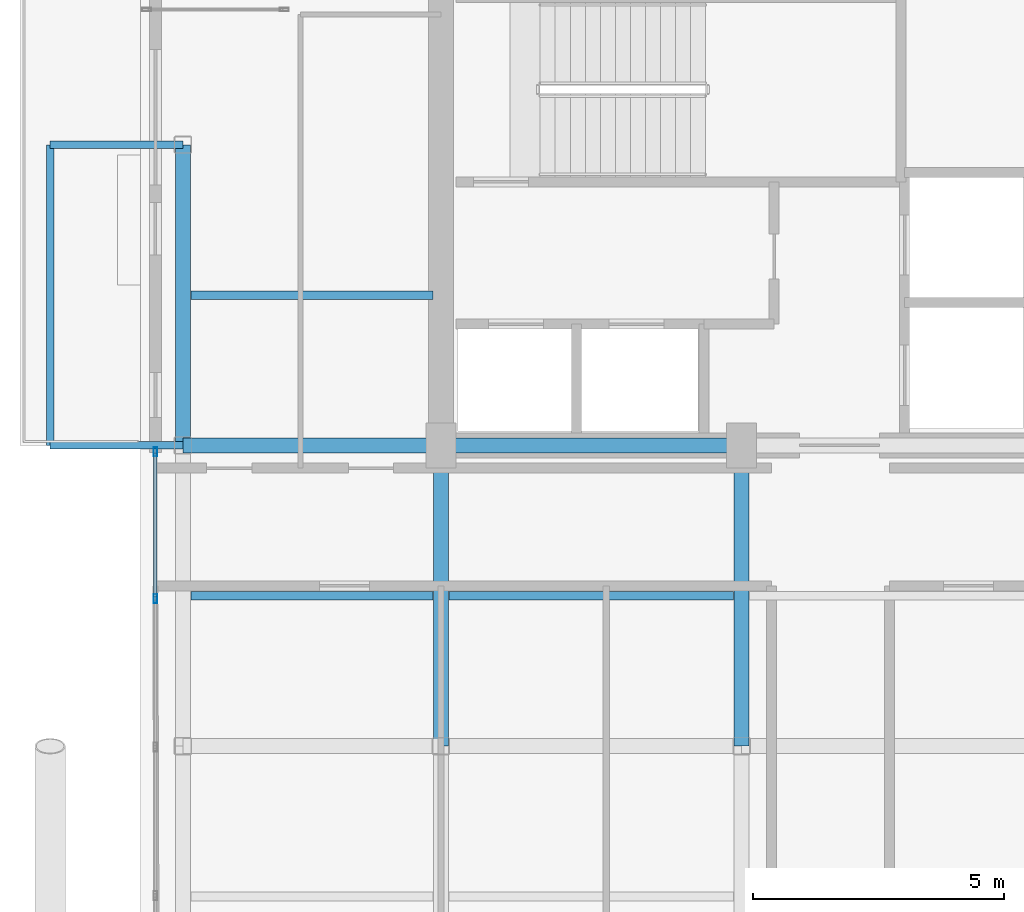
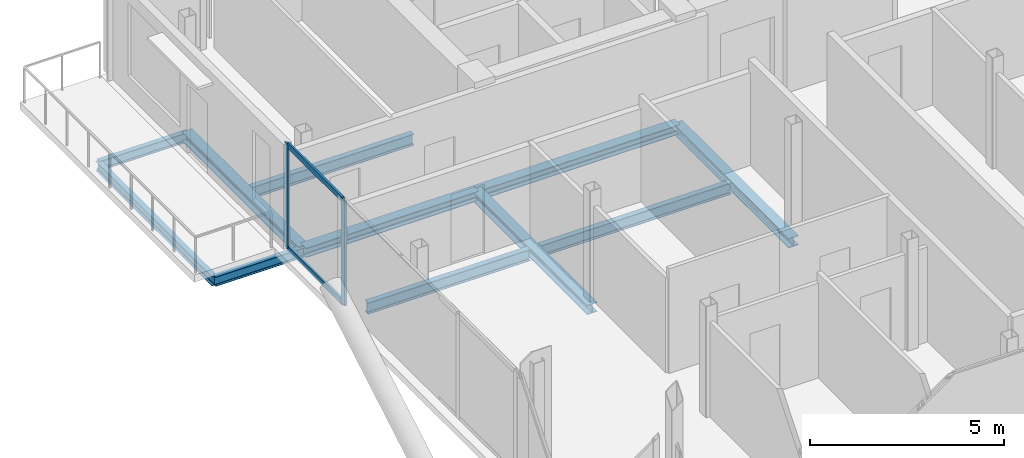
# One storey, part 7 of 19: 11 beams, 4 members, 1 element without a shape of its own.
"""IFC4 building model written with IfcOpenShell, lengths in metres."""

from ifc_helpers import new_model, si_unit, direction, frame, origin, origin_2d, place, context, subcontext, project, spatial, hollow_rectangle, i_section, extrude, material, layer, layer_set, material_profile, profile_set, type_object, element, aggregate, save


model = new_model("IFC4")

# Units and contexts
model_context = context("Model", 3, precision=1e-05, world=origin(), true_north=direction((0.0, 1.0)))
body_context = subcontext(model_context, "Body", "Model", "MODEL_VIEW")
ifc_project = project(units=[si_unit("LENGTHUNIT", "METRE"), si_unit("AREAUNIT", "SQUARE_METRE"), si_unit("VOLUMEUNIT", "CUBIC_METRE"), si_unit("PLANEANGLEUNIT", "RADIAN"), si_unit("MASSUNIT", "GRAM", prefix="KILO"), si_unit("THERMODYNAMICTEMPERATUREUNIT", "KELVIN"), si_unit("POWERUNIT", "WATT")], contexts=[model_context])

# Site, building, storey
site_placement = place(None, origin())
site = spatial("IfcSite", under=ifc_project, at=site_placement, CompositionType="ELEMENT")
building_placement = place(site_placement, origin())
building = spatial("IfcBuilding", under=site, at=building_placement, Name="Svarakhadi Broadcast Tower", CompositionType="ELEMENT")
storey_placement = place(building_placement, frame((0.0, 0.0, 257.199951171875)))
storey = spatial("IfcBuildingStorey", under=building, at=storey_placement, Name="L64", CompositionType="ELEMENT", Elevation=257.199951171875)

# Beams
ifc_material_1 = material(Name="Steel S355J2 (IS 2062 E350C)", Category="steel")
ifc_material_profile_1 = material_profile(ifc_material_1, i_section(OverallWidth=0.169921875, OverallDepth=0.360107421875, WebThickness=0.008056640625, FlangeThickness=0.0126953125, FilletRadius=0.01806640625, at=origin_2d()), Name="NPB 360x170x57")
ifc_profile_set_1 = profile_set([ifc_material_profile_1], Name="Steel S355J2 (IS 2062 E350C)")
beam_type_1 = type_object("IfcBeamType", Name="Beam_NPB360", PredefinedType="BEAM", material=ifc_profile_set_1)
for number, where, z_axis, x_axis, name in (
    (1, (1.010009765625, 15.0, -0.3798828125), (1.0, 0.0, 0.0), (0.0, 1.0, 0.0), "L64 Secondary Composite Beam SB002"),
    (2, (1.010009765625, 21.0, -0.3798828125), (1.0, 0.0, 0.0), (0.0, 1.0, 0.0), "L64 Secondary Composite Beam SB003"),
):
    element("IfcBeam", number, at=place(storey_placement, frame(where, z_axis=z_axis, x_axis=x_axis)), inside=storey, type_object=beam_type_1, Name=name, PredefinedType="BEAM", context=body_context, shape_type="SweptSolid", body=[
        extrude(i_section(OverallWidth=0.169921875, OverallDepth=0.360107421875, WebThickness=0.008056640625, FlangeThickness=0.0126953125, FilletRadius=0.01806640625, at=origin_2d()), origin(), (0.0, 0.0, 1.0), 4.830078125),
    ])
beam_1_placement = place(storey_placement, frame((6.159912109375, 15.0, -0.3798828125), z_axis=(1.0, 0.0, 0.0), x_axis=(0.0, 1.0, 0.0)))
element("IfcBeam", 3, at=beam_1_placement, inside=storey, type_object=beam_type_1, Name="L64 Secondary Composite Beam SB006", PredefinedType="BEAM", context=body_context, shape_type="SweptSolid", body=[
    extrude(i_section(OverallWidth=0.169921875, OverallDepth=0.360107421875, WebThickness=0.008056640625, FlangeThickness=0.0126953125, FilletRadius=0.01806640625, at=origin_2d()), origin(), (0.0, 0.0, 1.0), 5.68017578125),
])

# Curtain wall, members
ifc_material_2 = material(Name="Anodised Bronze Aluminium AA 6063-T6", Category="aluminium")
ifc_layer = layer(ifc_material_2, 0.179931640625)
ifc_layer_set = layer_set([ifc_layer], Name="Anodised Bronze Aluminium AA 6063-T6")
curtain_wall_type = type_object("IfcCurtainWallType", Name="CW_Sys_05", PredefinedType="NOTDEFINED", material=ifc_layer_set)
curtain_wall_placement = place(storey_placement, origin())
curtain_wall = element("IfcCurtainWall", 4, at=curtain_wall_placement, inside=storey, type_object=curtain_wall_type, Name="L64 West Curtain Wall 02", PredefinedType="NOTDEFINED")
ifc_material_profile_2 = material_profile(ifc_material_2, hollow_rectangle(XDim=0.070068359375, YDim=0.179931640625, WallThickness=0.005615234375, at=origin_2d()), Name="ALU MULLION 180x70x6")
ifc_profile_set_2 = profile_set([ifc_material_profile_2], Name="Anodised Bronze Aluminium AA 6063-T6")
member_type_1 = type_object("IfcMemberType", Name="CW_Sys_05_Mul", PredefinedType="MULLION", material=ifc_profile_set_2)
member_1_placement = place(storey_placement, frame((0.300048828125, 14.946044921875, 0.0), z_axis=(0.0, 0.0, 1.0), x_axis=(-1.0, 0.0, 0.0)))
member_1 = element("IfcMember", 5, at=member_1_placement, type_object=member_type_1, Name="CW-05 mullion 5", PredefinedType="MULLION", context=body_context, shape_type="SweptSolid", body=[
    extrude(hollow_rectangle(XDim=0.070068359375, YDim=0.179931640625, WallThickness=0.005615234375, at=origin_2d()), origin(), (0.0, 0.0, 1.0), 3.300048828125),
])
member_2_placement = place(storey_placement, frame((0.300048828125, 17.875, 0.0), z_axis=(0.0, 0.0, 1.0), x_axis=(-1.0, 0.0, 0.0)))
member_2 = element("IfcMember", 6, at=member_2_placement, type_object=member_type_1, Name="CW-05 mullion 6", PredefinedType="MULLION", context=body_context, shape_type="SweptSolid", body=[
    extrude(hollow_rectangle(XDim=0.070068359375, YDim=0.179931640625, WallThickness=0.005615234375, at=origin_2d()), origin(), (0.0, 0.0, 1.0), 3.300048828125),
])
ifc_material_profile_3 = material_profile(ifc_material_2, hollow_rectangle(XDim=0.06494140625, YDim=0.1650390625, WallThickness=0.0048828125, at=origin_2d()), Name="ALU TRANSOM 165x65x5")
ifc_profile_set_3 = profile_set([ifc_material_profile_3], Name="Anodised Bronze Aluminium AA 6063-T6")
member_type_2 = type_object("IfcMemberType", Name="CW_Sys_05_Trn", PredefinedType="USERDEFINED", material=ifc_profile_set_3)
member_3_placement = place(storey_placement, frame((0.300048828125, 14.98095703125, 0.032470703125), z_axis=(0.0, 1.0, 0.0), x_axis=(-1.0, 0.0, 0.0)))
member_3 = element("IfcMember", 7, at=member_3_placement, type_object=member_type_2, Name="CW-05 transom 5.1", ObjectType="TRANSOM", PredefinedType="USERDEFINED", context=body_context, shape_type="SweptSolid", body=[
    extrude(hollow_rectangle(XDim=0.06494140625, YDim=0.1650390625, WallThickness=0.0048828125, at=origin_2d()), origin(), (0.0, 0.0, 1.0), 2.859130859375),
])
member_4_placement = place(storey_placement, frame((0.300048828125, 14.98095703125, 3.267578125), z_axis=(0.0, 1.0, 0.0), x_axis=(-1.0, 0.0, 0.0)))
member_4 = element("IfcMember", 8, at=member_4_placement, type_object=member_type_2, Name="CW-05 transom 5.2", ObjectType="TRANSOM", PredefinedType="USERDEFINED", context=body_context, shape_type="SweptSolid", body=[
    extrude(hollow_rectangle(XDim=0.06494140625, YDim=0.1650390625, WallThickness=0.0048828125, at=origin_2d()), origin(), (0.0, 0.0, 1.0), 2.859130859375),
])
aggregate(curtain_wall, [member_1, member_2, member_3, member_4])

# Beams
ifc_material_profile_4 = material_profile(ifc_material_1, i_section(OverallWidth=0.300048828125, OverallDepth=0.300048828125, WebThickness=0.010986328125, FlangeThickness=0.01904296875, FilletRadius=0.027099609375, at=origin_2d()), Name="WPB 300x300x117")
ifc_profile_set_4 = profile_set([ifc_material_profile_4], Name="Steel S355J2 (IS 2062 E350C)")
beam_type_2 = type_object("IfcBeamType", Name="Girder_WPB300", PredefinedType="USERDEFINED", material=ifc_profile_set_4)
beam_2_placement = place(storey_placement, frame((0.85009765625, 18.0, -0.349853515625), z_axis=(1.0, 0.0, 0.0), x_axis=(0.0, 1.0, 0.0)))
element("IfcBeam", 9, at=beam_2_placement, inside=storey, type_object=beam_type_2, Name="L64 Primary E-W Girder G017", ObjectType="GIRDER", PredefinedType="USERDEFINED", context=body_context, shape_type="SweptSolid", body=[
    extrude(i_section(OverallWidth=0.300048828125, OverallDepth=0.300048828125, WebThickness=0.010986328125, FlangeThickness=0.01904296875, FilletRadius=0.027099609375, at=origin_2d()), origin(), (0.0, 0.0, 1.0), 5.14990234375),
])
for number, where, z_axis, x_axis, name in (
    (10, (6.0, 18.0, -0.349853515625), (1.0, 0.0, 0.0), (0.0, 1.0, 0.0), "L64 Primary E-W Girder G018"),
    (11, (0.85009765625, 18.0, -0.349853515625), (0.0, 1.0, 0.0), (-1.0, 0.0, 0.0), "L64 Primary N-S Girder G028"),
    (12, (6.0, 12.0, -0.349853515625), (0.0, 1.0, 0.0), (-1.0, 0.0, 0.0), "L64 Primary N-S Girder G031"),
    (13, (12.0, 12.0, -0.349853515625), (0.0, 1.0, 0.0), (-1.0, 0.0, 0.0), "L64 Primary N-S Girder G035"),
):
    element("IfcBeam", number, at=place(storey_placement, frame(where, z_axis=z_axis, x_axis=x_axis)), inside=storey, type_object=beam_type_2, Name=name, ObjectType="GIRDER", PredefinedType="USERDEFINED", context=body_context, shape_type="SweptSolid", body=[
        extrude(i_section(OverallWidth=0.300048828125, OverallDepth=0.300048828125, WebThickness=0.010986328125, FlangeThickness=0.01904296875, FilletRadius=0.027099609375, at=origin_2d()), origin(), (0.0, 0.0, 1.0), 6.0),
    ])
ifc_material_profile_5 = material_profile(ifc_material_1, i_section(OverallWidth=0.14990234375, OverallDepth=0.300048828125, WebThickness=0.007080078125, FlangeThickness=0.0107421875, FilletRadius=0.014892578125, at=origin_2d()), Name="NPB 300x150x37")
ifc_profile_set_5 = profile_set([ifc_material_profile_5], Name="Steel S355J2 (IS 2062 E350C)")
beam_type_3 = type_object("IfcBeamType", Name="Spandrel_NPB300", PredefinedType="SPANDREL", material=ifc_profile_set_5)
for number, where, z_axis, x_axis, name in (
    (14, (0.85009765625, 18.0, -0.375), (-1.0, 0.0, 0.0), (0.0, -1.0, 0.0), "L64 Balcony Cantilever Bracket 2A"),
    (15, (0.85009765625, 24.0, -0.375), (-1.0, 0.0, 0.0), (0.0, -1.0, 0.0), "L64 Balcony Cantilever Bracket 2B"),
):
    element("IfcBeam", number, at=place(storey_placement, frame(where, z_axis=z_axis, x_axis=x_axis)), inside=storey, type_object=beam_type_3, Name=name, PredefinedType="SPANDREL", context=body_context, shape_type="SweptSolid", body=[
        extrude(i_section(OverallWidth=0.14990234375, OverallDepth=0.300048828125, WebThickness=0.007080078125, FlangeThickness=0.0107421875, FilletRadius=0.014892578125, at=origin_2d()), origin(), (0.0, 0.0, 1.0), 2.650146484375),
    ])
beam_3_placement = place(storey_placement, frame((-1.800048828125, 18.0, -0.375), z_axis=(0.0, 1.0, 0.0), x_axis=(-1.0, 0.0, 0.0)))
element("IfcBeam", 16, at=beam_3_placement, inside=storey, type_object=beam_type_3, Name="L64 Balcony Outer Spandrel 2F", PredefinedType="SPANDREL", context=body_context, shape_type="SweptSolid", body=[
    extrude(i_section(OverallWidth=0.14990234375, OverallDepth=0.300048828125, WebThickness=0.007080078125, FlangeThickness=0.0107421875, FilletRadius=0.014892578125, at=origin_2d()), origin(), (0.0, 0.0, 1.0), 6.0),
])

save(model, "model.ifc")
